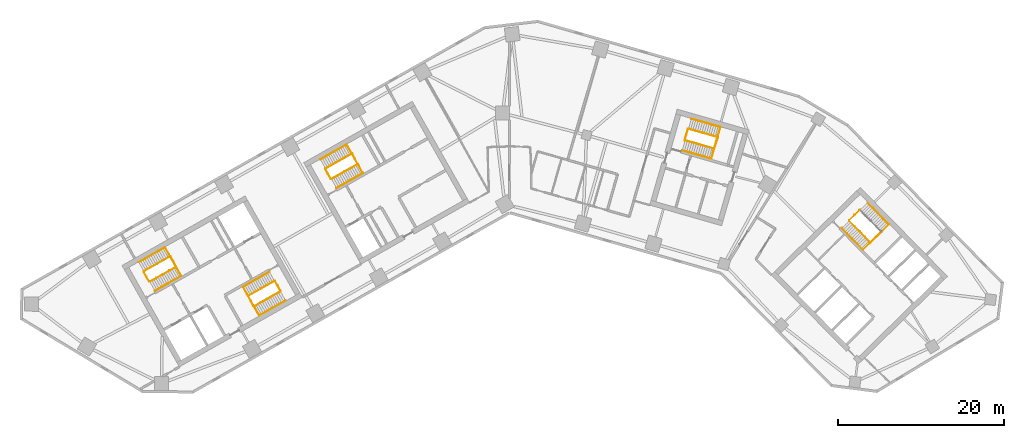
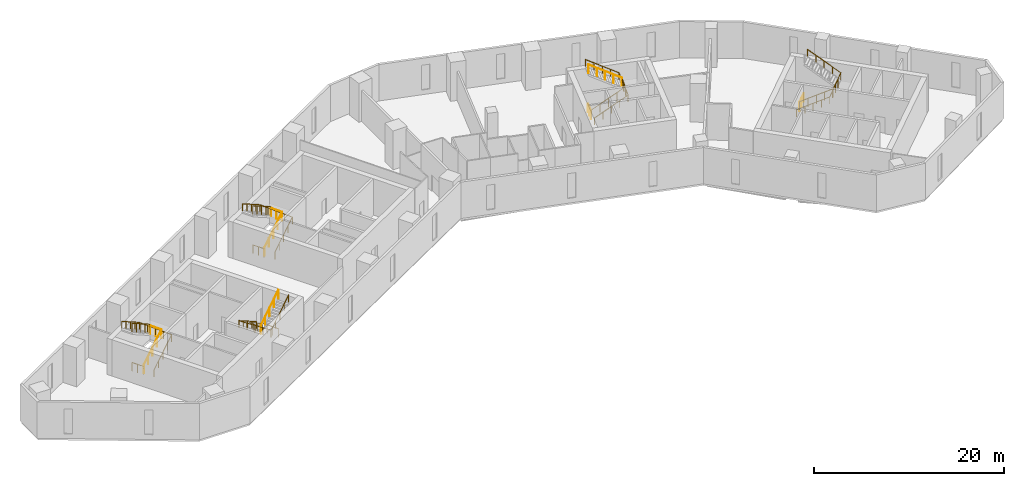
# One storey, part 9 of 10: 19 railings.
"""IFC4 building model written with IfcOpenShell, lengths in metres."""

from ifc_helpers import new_model, si_unit, direction, frame, origin, origin_2d, place, context, subcontext, project, spatial, circle, extrude, material, type_object, element, save


model = new_model("IFC4")

# Units and contexts
model_context = context("Model", 3, precision=1e-05, world=origin(), true_north=direction((0.0, 1.0)))
body_context = subcontext(model_context, "Body", "Model", "MODEL_VIEW")
ifc_project = project(units=[si_unit("LENGTHUNIT", "METRE"), si_unit("AREAUNIT", "SQUARE_METRE"), si_unit("VOLUMEUNIT", "CUBIC_METRE"), si_unit("PLANEANGLEUNIT", "RADIAN"), si_unit("MASSUNIT", "GRAM", prefix="KILO")], contexts=[model_context])

# Site, building, storey
site_placement = place(None, origin())
site = spatial("IfcSite", under=ifc_project, at=site_placement, CompositionType="ELEMENT")
building_placement = place(site_placement, origin())
building = spatial("IfcBuilding", under=site, at=building_placement, Name="Binnacle Exchange Tower", CompositionType="ELEMENT")
storey_placement = place(building_placement, frame((0.0, 0.0, 41.5)))
storey = spatial("IfcBuildingStorey", under=building, at=storey_placement, Name="L08", CompositionType="ELEMENT", Elevation=41.5)

# Railings
ifc_material_1 = material(Name="Steel guard rail", Category="steel")
railing_type_1 = type_object("IfcRailingType", Name="STAIR GUARD 1100", PredefinedType="GUARDRAIL", material=ifc_material_1)
railing_1_placement = place(storey_placement, frame((-43.26171875, 39.71728515625, 0.178466796875)))
element("IfcRailing", 1, at=railing_1_placement, inside=storey, type_object=railing_type_1, Name="L08 STA1 stair guard 1", PredefinedType="GUARDRAIL", context=body_context, shape_type="SweptSolid", body=[
    extrude(circle(Radius=0.02392578125, at=origin_2d()), frame((0.0, 0.0, 1.076171875), z_axis=(0.733795554141, 0.415191658331, 0.537735968274), x_axis=(-0.492450612189, 0.870340390052, 0.0)), (0.0, 0.0, 1.0), 4.317138671875),
    extrude(circle(Radius=0.02392578125, at=origin_2d()), frame((3.16796875, 1.79248046875, 3.3974609375), z_axis=(-0.460963092712, 0.887419307406, 0.0), x_axis=(-0.887419307406, -0.460963092712, 0.0)), (0.0, 0.0, 1.0), 1.40087890625),
    extrude(circle(Radius=0.02099609375, at=origin_2d()), origin(), (0.0, 0.0, 1.0), 1.052001953125),
    extrude(circle(Radius=0.02099609375, at=origin_2d()), frame((0.7919921875, 0.4482421875, 0.580322265625)), (0.0, 0.0, 1.0), 1.052001953125),
    extrude(circle(Radius=0.02099609375, at=origin_2d()), frame((1.583984375, 0.896240234375, 1.16064453125)), (0.0, 0.0, 1.0), 1.052001953125),
    extrude(circle(Radius=0.02099609375, at=origin_2d()), frame((2.3759765625, 1.34423828125, 1.7412109375)), (0.0, 0.0, 1.0), 1.052001953125),
    extrude(circle(Radius=0.02099609375, at=origin_2d()), frame((3.16796875, 1.79248046875, 2.321533203125)), (0.0, 0.0, 1.0), 1.052001953125),
    extrude(circle(Radius=0.02099609375, at=origin_2d()), frame((2.84521484375, 2.4140625, 2.321533203125)), (0.0, 0.0, 1.0), 1.052001953125),
    extrude(circle(Radius=0.02099609375, at=origin_2d()), frame((2.522216796875, 3.03564453125, 2.321533203125)), (0.0, 0.0, 1.0), 1.052001953125),
])
railing_2_placement = place(storey_placement, frame((-40.8076171875, 42.771728515625, 2.678466796875)))
element("IfcRailing", 2, at=railing_2_placement, inside=storey, type_object=railing_type_1, Name="L08 STA1 stair guard 2", PredefinedType="GUARDRAIL", context=body_context, shape_type="SweptSolid", body=[
    extrude(circle(Radius=0.02392578125, at=origin_2d()), frame((0.0, 0.0, 1.076171875), z_axis=(-0.733821652932, -0.415174429824, 0.537713654753), x_axis=(0.492421866095, -0.870356654361, 0.0)), (0.0, 0.0, 1.0), 4.3173828125),
    extrude(circle(Radius=0.02099609375, at=origin_2d()), origin(), (0.0, 0.0, 1.0), 1.052001953125),
    extrude(circle(Radius=0.02099609375, at=origin_2d()), frame((-0.7919921875, -0.4482421875, 0.580322265625)), (0.0, 0.0, 1.0), 1.052001953125),
    extrude(circle(Radius=0.02099609375, at=origin_2d()), frame((-1.583984375, -0.896240234375, 1.16064453125)), (0.0, 0.0, 1.0), 1.052001953125),
    extrude(circle(Radius=0.02099609375, at=origin_2d()), frame((-2.376220703125, -1.34423828125, 1.7412109375)), (0.0, 0.0, 1.0), 1.052001953125),
    extrude(circle(Radius=0.02099609375, at=origin_2d()), frame((-3.168212890625, -1.79248046875, 2.321533203125)), (0.0, 0.0, 1.0), 1.052001953125),
])
railing_3_placement = place(storey_placement, frame((-43.329833984375, 39.736328125, 0.0)))
element("IfcRailing", 3, at=railing_3_placement, inside=storey, type_object=railing_type_1, Name="L08 STA1 stair guard 3", PredefinedType="GUARDRAIL", context=body_context, shape_type="SweptSolid", body=[
    extrude(circle(Radius=0.02392578125, at=origin_2d()), frame((0.0, 0.0, 1.076171875), z_axis=(-0.4924922531, 0.870316827734, 0.0), x_axis=(-0.870316827734, -0.4924922531, 0.0)), (0.0, 0.0, 1.0), 1.349853515625),
    extrude(circle(Radius=0.02099609375, at=origin_2d()), origin(), (0.0, 0.0, 1.0), 1.052001953125),
    extrude(circle(Radius=0.02099609375, at=origin_2d()), frame((-0.33251953125, 0.58740234375, 0.0)), (0.0, 0.0, 1.0), 1.052001953125),
    extrude(circle(Radius=0.02099609375, at=origin_2d()), frame((-0.664794921875, 1.1748046875, 0.0)), (0.0, 0.0, 1.0), 1.052001953125),
])
railing_4_placement = place(storey_placement, frame((-28.265380859375, 39.814453125, 0.178466796875)))
element("IfcRailing", 4, at=railing_4_placement, inside=storey, type_object=railing_type_1, Name="L08 STA2 stair guard 1", PredefinedType="GUARDRAIL", context=body_context, shape_type="SweptSolid", body=[
    extrude(circle(Radius=0.02392578125, at=origin_2d()), frame((0.0, 0.0, 1.076171875), z_axis=(-0.733821652932, -0.415174429824, 0.537713654753), x_axis=(0.492421866095, -0.870356654361, 0.0)), (0.0, 0.0, 1.0), 4.3173828125),
    extrude(circle(Radius=0.02392578125, at=origin_2d()), frame((-3.168212890625, -1.79248046875, 3.3974609375), z_axis=(0.461100321709, -0.887348011391, 0.0), x_axis=(0.887348011391, 0.461100321709, 0.0)), (0.0, 0.0, 1.0), 1.40087890625),
    extrude(circle(Radius=0.02099609375, at=origin_2d()), origin(), (0.0, 0.0, 1.0), 1.052001953125),
    extrude(circle(Radius=0.02099609375, at=origin_2d()), frame((-0.7919921875, -0.4482421875, 0.580322265625)), (0.0, 0.0, 1.0), 1.052001953125),
    extrude(circle(Radius=0.02099609375, at=origin_2d()), frame((-1.583984375, -0.896240234375, 1.16064453125)), (0.0, 0.0, 1.0), 1.052001953125),
    extrude(circle(Radius=0.02099609375, at=origin_2d()), frame((-2.376220703125, -1.34423828125, 1.7412109375)), (0.0, 0.0, 1.0), 1.052001953125),
    extrude(circle(Radius=0.02099609375, at=origin_2d()), frame((-3.168212890625, -1.79248046875, 2.321533203125)), (0.0, 0.0, 1.0), 1.052001953125),
    extrude(circle(Radius=0.02099609375, at=origin_2d()), frame((-2.84521484375, -2.4140625, 2.321533203125)), (0.0, 0.0, 1.0), 1.052001953125),
    extrude(circle(Radius=0.02099609375, at=origin_2d()), frame((-2.522216796875, -3.03564453125, 2.321533203125)), (0.0, 0.0, 1.0), 1.052001953125),
])
railing_5_placement = place(storey_placement, frame((-30.719482421875, 36.760009765625, 2.678466796875)))
element("IfcRailing", 5, at=railing_5_placement, inside=storey, type_object=railing_type_1, Name="L08 STA2 stair guard 2", PredefinedType="GUARDRAIL", context=body_context, shape_type="SweptSolid", body=[
    extrude(circle(Radius=0.02392578125, at=origin_2d()), frame((0.0, 0.0, 1.076171875), z_axis=(0.733795554141, 0.415191658331, 0.537735968274), x_axis=(-0.492450612189, 0.870340390052, 0.0)), (0.0, 0.0, 1.0), 4.317138671875),
    extrude(circle(Radius=0.02099609375, at=origin_2d()), origin(), (0.0, 0.0, 1.0), 1.052001953125),
    extrude(circle(Radius=0.02099609375, at=origin_2d()), frame((0.7919921875, 0.4482421875, 0.580322265625)), (0.0, 0.0, 1.0), 1.052001953125),
    extrude(circle(Radius=0.02099609375, at=origin_2d()), frame((1.583984375, 0.896240234375, 1.16064453125)), (0.0, 0.0, 1.0), 1.052001953125),
    extrude(circle(Radius=0.02099609375, at=origin_2d()), frame((2.3759765625, 1.34423828125, 1.7412109375)), (0.0, 0.0, 1.0), 1.052001953125),
    extrude(circle(Radius=0.02099609375, at=origin_2d()), frame((3.16796875, 1.79248046875, 2.321533203125)), (0.0, 0.0, 1.0), 1.052001953125),
])
railing_6_placement = place(storey_placement, frame((-28.197265625, 39.795654296875, 0.0)))
element("IfcRailing", 6, at=railing_6_placement, inside=storey, type_object=railing_type_1, Name="L08 STA2 stair guard 3", PredefinedType="GUARDRAIL", context=body_context, shape_type="SweptSolid", body=[
    extrude(circle(Radius=0.02392578125, at=origin_2d()), frame((0.0, 0.0, 1.076171875), z_axis=(0.49241474071, -0.870360685654, 0.0), x_axis=(0.870360685654, 0.49241474071, 0.0)), (0.0, 0.0, 1.0), 1.35009765625),
    extrude(circle(Radius=0.02099609375, at=origin_2d()), origin(), (0.0, 0.0, 1.0), 1.052001953125),
    extrude(circle(Radius=0.02099609375, at=origin_2d()), frame((0.33251953125, -0.58740234375, 0.0)), (0.0, 0.0, 1.0), 1.052001953125),
    extrude(circle(Radius=0.02099609375, at=origin_2d()), frame((0.664794921875, -1.175048828125, 0.0)), (0.0, 0.0, 1.0), 1.052001953125),
])
railing_7_placement = place(storey_placement, frame((40.822509765625, 47.046875, 0.178466796875)))
element("IfcRailing", 7, at=railing_7_placement, inside=storey, type_object=railing_type_1, Name="L08 STB1 stair guard 1", PredefinedType="GUARDRAIL", context=body_context, shape_type="SweptSolid", body=[
    extrude(circle(Radius=0.02392578125, at=origin_2d()), frame((0.0, 0.0, 1.076171875), z_axis=(0.590946962671, -0.60135215321, 0.537733461056), x_axis=(0.713250539553, 0.700909172309, 0.0)), (0.0, 0.0, 1.0), 4.317138671875),
    extrude(circle(Radius=0.02392578125, at=origin_2d()), frame((2.55126953125, -2.59619140625, 3.3974609375), z_axis=(0.732527851538, 0.680737061369, 0.0), x_axis=(-0.680737061369, 0.732527851538, 0.0)), (0.0, 0.0, 1.0), 1.80078125),
    extrude(circle(Radius=0.02099609375, at=origin_2d()), origin(), (0.0, 0.0, 1.0), 1.052001953125),
    extrude(circle(Radius=0.02099609375, at=origin_2d()), frame((0.6376953125, -0.64892578125, 0.580322265625)), (0.0, 0.0, 1.0), 1.052001953125),
    extrude(circle(Radius=0.02099609375, at=origin_2d()), frame((1.275634765625, -1.298095703125, 1.16064453125)), (0.0, 0.0, 1.0), 1.052001953125),
    extrude(circle(Radius=0.02099609375, at=origin_2d()), frame((1.91357421875, -1.947265625, 1.7412109375)), (0.0, 0.0, 1.0), 1.052001953125),
    extrude(circle(Radius=0.02099609375, at=origin_2d()), frame((2.55126953125, -2.59619140625, 2.321533203125)), (0.0, 0.0, 1.0), 1.052001953125),
    extrude(circle(Radius=0.02099609375, at=origin_2d()), frame((3.2109375, -1.9833984375, 2.321533203125)), (0.0, 0.0, 1.0), 1.052001953125),
    extrude(circle(Radius=0.02099609375, at=origin_2d()), frame((3.870361328125, -1.370361328125, 2.321533203125)), (0.0, 0.0, 1.0), 1.052001953125),
])
railing_8_placement = place(storey_placement, frame((40.8232421875, 47.117431640625, 0.0)))
element("IfcRailing", 8, at=railing_8_placement, inside=storey, type_object=railing_type_1, Name="L08 STB1 stair guard 3", PredefinedType="GUARDRAIL", context=body_context, shape_type="SweptSolid", body=[
    extrude(circle(Radius=0.02392578125, at=origin_2d()), frame((0.0, 0.0, 1.076171875), z_axis=(0.713218950569, 0.700941316052, 0.0), x_axis=(-0.700941316052, 0.713218950569, 0.0)), (0.0, 0.0, 1.0), 1.75),
    extrude(circle(Radius=0.02099609375, at=origin_2d()), origin(), (0.0, 0.0, 1.0), 1.052001953125),
    extrude(circle(Radius=0.02099609375, at=origin_2d()), frame((0.6240234375, 0.61328125, 0.0)), (0.0, 0.0, 1.0), 1.052001953125),
    extrude(circle(Radius=0.02099609375, at=origin_2d()), frame((1.248046875, 1.2265625, 0.0)), (0.0, 0.0, 1.0), 1.052001953125),
])
railing_9_placement = place(storey_placement, frame((-21.423828125, 52.07275390625, 0.178466796875)))
element("IfcRailing", 9, at=railing_9_placement, inside=storey, type_object=railing_type_1, Name="L08 STC1 stair guard 1", PredefinedType="GUARDRAIL", context=body_context, shape_type="SweptSolid", body=[
    extrude(circle(Radius=0.02392578125, at=origin_2d()), frame((0.0, 0.0, 1.076171875), z_axis=(0.733838880464, 0.415127627455, 0.537726278364), x_axis=(-0.492371057291, 0.870385398511, 0.0)), (0.0, 0.0, 1.0), 4.3173828125),
    extrude(circle(Radius=0.02392578125, at=origin_2d()), frame((3.168212890625, 1.792236328125, 3.3974609375), z_axis=(-0.461100321709, 0.887348011391, 0.0), x_axis=(-0.887348011391, -0.461100321709, 0.0)), (0.0, 0.0, 1.0), 1.40087890625),
    extrude(circle(Radius=0.02099609375, at=origin_2d()), origin(), (0.0, 0.0, 1.0), 1.052001953125),
    extrude(circle(Radius=0.02099609375, at=origin_2d()), frame((0.7919921875, 0.447998046875, 0.580322265625)), (0.0, 0.0, 1.0), 1.052001953125),
    extrude(circle(Radius=0.02099609375, at=origin_2d()), frame((1.583984375, 0.89599609375, 1.16064453125)), (0.0, 0.0, 1.0), 1.052001953125),
    extrude(circle(Radius=0.02099609375, at=origin_2d()), frame((2.376220703125, 1.34423828125, 1.7412109375)), (0.0, 0.0, 1.0), 1.052001953125),
    extrude(circle(Radius=0.02099609375, at=origin_2d()), frame((3.168212890625, 1.792236328125, 2.321533203125)), (0.0, 0.0, 1.0), 1.052001953125),
    extrude(circle(Radius=0.02099609375, at=origin_2d()), frame((2.84521484375, 2.413818359375, 2.321533203125)), (0.0, 0.0, 1.0), 1.052001953125),
    extrude(circle(Radius=0.02099609375, at=origin_2d()), frame((2.522216796875, 3.035400390625, 2.321533203125)), (0.0, 0.0, 1.0), 1.052001953125),
])
railing_10_placement = place(storey_placement, frame((-18.9697265625, 55.126953125, 2.678466796875)))
element("IfcRailing", 10, at=railing_10_placement, inside=storey, type_object=railing_type_1, Name="L08 STC1 stair guard 2", PredefinedType="GUARDRAIL", context=body_context, shape_type="SweptSolid", body=[
    extrude(circle(Radius=0.02392578125, at=origin_2d()), frame((0.0, 0.0, 1.076171875), z_axis=(-0.733812782489, -0.415144854829, 0.537748593457), x_axis=(0.492399802317, -0.870369137021, 0.0)), (0.0, 0.0, 1.0), 4.317138671875),
    extrude(circle(Radius=0.02099609375, at=origin_2d()), origin(), (0.0, 0.0, 1.0), 1.052001953125),
    extrude(circle(Radius=0.02099609375, at=origin_2d()), frame((-0.7919921875, -0.447998046875, 0.580322265625)), (0.0, 0.0, 1.0), 1.052001953125),
    extrude(circle(Radius=0.02099609375, at=origin_2d()), frame((-1.583984375, -0.89599609375, 1.16064453125)), (0.0, 0.0, 1.0), 1.052001953125),
    extrude(circle(Radius=0.02099609375, at=origin_2d()), frame((-2.3759765625, -1.34423828125, 1.7412109375)), (0.0, 0.0, 1.0), 1.052001953125),
    extrude(circle(Radius=0.02099609375, at=origin_2d()), frame((-3.16796875, -1.792236328125, 2.321533203125)), (0.0, 0.0, 1.0), 1.052001953125),
])
railing_11_placement = place(storey_placement, frame((-21.491943359375, 52.091552734375, 0.0)))
element("IfcRailing", 11, at=railing_11_placement, inside=storey, type_object=railing_type_1, Name="L08 STC1 stair guard 3", PredefinedType="GUARDRAIL", context=body_context, shape_type="SweptSolid", body=[
    extrude(circle(Radius=0.02392578125, at=origin_2d()), frame((0.0, 0.0, 1.076171875), z_axis=(-0.49241474071, 0.870360685654, 0.0), x_axis=(-0.870360685654, -0.49241474071, 0.0)), (0.0, 0.0, 1.0), 1.35009765625),
    extrude(circle(Radius=0.02099609375, at=origin_2d()), origin(), (0.0, 0.0, 1.0), 1.052001953125),
    extrude(circle(Radius=0.02099609375, at=origin_2d()), frame((-0.33251953125, 0.58740234375, 0.0)), (0.0, 0.0, 1.0), 1.052001953125),
    extrude(circle(Radius=0.02099609375, at=origin_2d()), frame((-0.664794921875, 1.175048828125, 0.0)), (0.0, 0.0, 1.0), 1.052001953125),
])
railing_12_placement = place(storey_placement, frame((21.086669921875, 56.71044921875, 0.178466796875)))
element("IfcRailing", 12, at=railing_12_placement, inside=storey, type_object=railing_type_1, Name="L08 STD1 stair guard 1", PredefinedType="GUARDRAIL", context=body_context, shape_type="SweptSolid", body=[
    extrude(circle(Radius=0.02392578125, at=origin_2d()), frame((0.0, 0.0, 1.076171875), z_axis=(0.810455892038, -0.232415135102, 0.537721537635), x_axis=(0.275659984683, 0.961255206927, 0.0)), (0.0, 0.0, 1.0), 4.3173828125),
    extrude(circle(Radius=0.02392578125, at=origin_2d()), frame((3.4990234375, -1.00341796875, 3.3974609375), z_axis=(0.309684985722, 0.950839213337, 0.0), x_axis=(-0.950839213337, 0.309684985722, 0.0)), (0.0, 0.0, 1.0), 1.40087890625),
    extrude(circle(Radius=0.02099609375, at=origin_2d()), origin(), (0.0, 0.0, 1.0), 1.052001953125),
    extrude(circle(Radius=0.02099609375, at=origin_2d()), frame((0.874755859375, -0.2509765625, 0.580322265625)), (0.0, 0.0, 1.0), 1.052001953125),
    extrude(circle(Radius=0.02099609375, at=origin_2d()), frame((1.74951171875, -0.501708984375, 1.16064453125)), (0.0, 0.0, 1.0), 1.052001953125),
    extrude(circle(Radius=0.02099609375, at=origin_2d()), frame((2.624267578125, -0.75244140625, 1.7412109375)), (0.0, 0.0, 1.0), 1.052001953125),
    extrude(circle(Radius=0.02099609375, at=origin_2d()), frame((3.4990234375, -1.00341796875, 2.321533203125)), (0.0, 0.0, 1.0), 1.052001953125),
    extrude(circle(Radius=0.02099609375, at=origin_2d()), frame((3.7158203125, -0.33740234375, 2.321533203125)), (0.0, 0.0, 1.0), 1.052001953125),
    extrude(circle(Radius=0.02099609375, at=origin_2d()), frame((3.932861328125, 0.32861328125, 2.321533203125)), (0.0, 0.0, 1.0), 1.052001953125),
])
railing_13_placement = place(storey_placement, frame((24.9853515625, 57.100830078125, 2.678466796875)))
element("IfcRailing", 13, at=railing_13_placement, inside=storey, type_object=railing_type_1, Name="L08 STD1 stair guard 2", PredefinedType="GUARDRAIL", context=body_context, shape_type="SweptSolid", body=[
    extrude(circle(Radius=0.02392578125, at=origin_2d()), frame((0.0, 0.0, 1.076171875), z_axis=(-0.810455892038, 0.232415135102, 0.537721537635), x_axis=(-0.275659984683, -0.961255206927, 0.0)), (0.0, 0.0, 1.0), 4.3173828125),
    extrude(circle(Radius=0.02099609375, at=origin_2d()), origin(), (0.0, 0.0, 1.0), 1.052001953125),
    extrude(circle(Radius=0.02099609375, at=origin_2d()), frame((-0.874755859375, 0.2509765625, 0.580322265625)), (0.0, 0.0, 1.0), 1.052001953125),
    extrude(circle(Radius=0.02099609375, at=origin_2d()), frame((-1.74951171875, 0.501708984375, 1.16064453125)), (0.0, 0.0, 1.0), 1.052001953125),
    extrude(circle(Radius=0.02099609375, at=origin_2d()), frame((-2.624267578125, 0.75244140625, 1.7412109375)), (0.0, 0.0, 1.0), 1.052001953125),
    extrude(circle(Radius=0.02099609375, at=origin_2d()), frame((-3.4990234375, 1.00341796875, 2.321533203125)), (0.0, 0.0, 1.0), 1.052001953125),
])
railing_14_placement = place(storey_placement, frame((21.05224609375, 56.772216796875, 0.0)))
element("IfcRailing", 14, at=railing_14_placement, inside=storey, type_object=railing_type_1, Name="L08 STD1 stair guard 3", PredefinedType="GUARDRAIL", context=body_context, shape_type="SweptSolid", body=[
    extrude(circle(Radius=0.02392578125, at=origin_2d()), frame((0.0, 0.0, 1.076171875), z_axis=(0.275795817769, 0.961216243569, 0.0), x_axis=(-0.961216243569, 0.275795817769, 0.0)), (0.0, 0.0, 1.0), 1.349853515625),
    extrude(circle(Radius=0.02099609375, at=origin_2d()), origin(), (0.0, 0.0, 1.0), 1.052001953125),
    extrude(circle(Radius=0.02099609375, at=origin_2d()), frame((0.18603515625, 0.64892578125, 0.0)), (0.0, 0.0, 1.0), 1.052001953125),
    extrude(circle(Radius=0.02099609375, at=origin_2d()), frame((0.372314453125, 1.297607421875, 0.0)), (0.0, 0.0, 1.0), 1.052001953125),
])
ifc_material_2 = material(Name="Steel handrail", Category="steel")
railing_type_2 = type_object("IfcRailingType", Name="STAIR HANDRAIL 900", PredefinedType="HANDRAIL", material=ifc_material_2)
railing_15_placement = place(storey_placement, frame((-42.646240234375, 38.62939453125, 0.178466796875)))
element("IfcRailing", 15, at=railing_15_placement, inside=storey, type_object=railing_type_2, Name="L08 STA1 stair handrail 1", PredefinedType="HANDRAIL", context=body_context, shape_type="SweptSolid", body=[
    extrude(circle(Radius=0.02392578125, at=origin_2d()), frame((0.0, 0.0, 0.8759765625), z_axis=(0.733821652932, 0.415174429824, 0.537713654753), x_axis=(-0.492421866095, 0.870356654361, 0.0)), (0.0, 0.0, 1.0), 4.3173828125),
    extrude(circle(Radius=0.02392578125, at=origin_2d()), frame((3.168212890625, 1.79248046875, 3.197265625), z_axis=(-0.491985021148, 0.869432866815, 0.045135674003), x_axis=(-0.870319839224, -0.492486931251, 0.0)), (0.0, 0.0, 1.0), 3.9541015625),
    extrude(circle(Radius=0.02392578125, at=origin_2d()), frame((1.222900390625, 5.230224609375, 3.3759765625), z_axis=(-0.733812782489, -0.415144854829, 0.537748593457), x_axis=(0.492399802317, -0.870369137021, 0.0)), (0.0, 0.0, 1.0), 4.317138671875),
    extrude(circle(Radius=0.02099609375, at=origin_2d()), origin(), (0.0, 0.0, 1.0), 0.851806640625),
    extrude(circle(Radius=0.02099609375, at=origin_2d()), frame((0.7919921875, 0.4482421875, 0.580322265625)), (0.0, 0.0, 1.0), 0.851806640625),
    extrude(circle(Radius=0.02099609375, at=origin_2d()), frame((1.583984375, 0.896240234375, 1.16064453125)), (0.0, 0.0, 1.0), 0.851806640625),
    extrude(circle(Radius=0.02099609375, at=origin_2d()), frame((2.376220703125, 1.34423828125, 1.7412109375)), (0.0, 0.0, 1.0), 0.851806640625),
    extrude(circle(Radius=0.02099609375, at=origin_2d()), frame((3.168212890625, 1.79248046875, 2.321533203125)), (0.0, 0.0, 1.0), 0.851806640625),
    extrude(circle(Radius=0.02099609375, at=origin_2d()), frame((2.681884765625, 2.65185546875, 2.3662109375)), (0.0, 0.0, 1.0), 0.851806640625),
    extrude(circle(Radius=0.02099609375, at=origin_2d()), frame((2.195556640625, 3.51123046875, 2.41064453125)), (0.0, 0.0, 1.0), 0.851806640625),
    extrude(circle(Radius=0.02099609375, at=origin_2d()), frame((1.709228515625, 4.370849609375, 2.455322265625)), (0.0, 0.0, 1.0), 0.851806640625),
    extrude(circle(Radius=0.02099609375, at=origin_2d()), frame((1.222900390625, 5.230224609375, 2.5)), (0.0, 0.0, 1.0), 0.851806640625),
    extrude(circle(Radius=0.02099609375, at=origin_2d()), frame((0.430908203125, 4.7822265625, 3.080322265625)), (0.0, 0.0, 1.0), 0.851806640625),
    extrude(circle(Radius=0.02099609375, at=origin_2d()), frame((-0.361083984375, 4.333984375, 3.66064453125)), (0.0, 0.0, 1.0), 0.851806640625),
    extrude(circle(Radius=0.02099609375, at=origin_2d()), frame((-1.153076171875, 3.885986328125, 4.2412109375)), (0.0, 0.0, 1.0), 0.851806640625),
    extrude(circle(Radius=0.02099609375, at=origin_2d()), frame((-1.945068359375, 3.43798828125, 4.821533203125)), (0.0, 0.0, 1.0), 0.851806640625),
])
railing_16_placement = place(storey_placement, frame((-28.880859375, 40.90234375, 0.178466796875)))
element("IfcRailing", 16, at=railing_16_placement, inside=storey, type_object=railing_type_2, Name="L08 STA2 stair handrail 1", PredefinedType="HANDRAIL", context=body_context, shape_type="SweptSolid", body=[
    extrude(circle(Radius=0.02392578125, at=origin_2d()), frame((0.0, 0.0, 0.8759765625), z_axis=(-0.733838880464, -0.415127627455, 0.537726278364), x_axis=(0.492371057291, -0.870385398511, 0.0)), (0.0, 0.0, 1.0), 4.3173828125),
    extrude(circle(Radius=0.02392578125, at=origin_2d()), frame((-3.168212890625, -1.792236328125, 3.197265625), z_axis=(0.491911810019, -0.86947434526, 0.045134621956), x_axis=(0.870361318571, 0.492413622004, 0.0)), (0.0, 0.0, 1.0), 3.9541015625),
    extrude(circle(Radius=0.02392578125, at=origin_2d()), frame((-1.22314453125, -5.230224609375, 3.3759765625), z_axis=(0.733821652932, 0.415174429824, 0.537713654753), x_axis=(-0.492421866095, 0.870356654361, 0.0)), (0.0, 0.0, 1.0), 4.3173828125),
    extrude(circle(Radius=0.02099609375, at=origin_2d()), origin(), (0.0, 0.0, 1.0), 0.851806640625),
    extrude(circle(Radius=0.02099609375, at=origin_2d()), frame((-0.7919921875, -0.447998046875, 0.580322265625)), (0.0, 0.0, 1.0), 0.851806640625),
    extrude(circle(Radius=0.02099609375, at=origin_2d()), frame((-1.583984375, -0.89599609375, 1.16064453125)), (0.0, 0.0, 1.0), 0.851806640625),
    extrude(circle(Radius=0.02099609375, at=origin_2d()), frame((-2.376220703125, -1.34423828125, 1.7412109375)), (0.0, 0.0, 1.0), 0.851806640625),
    extrude(circle(Radius=0.02099609375, at=origin_2d()), frame((-3.168212890625, -1.792236328125, 2.321533203125)), (0.0, 0.0, 1.0), 0.851806640625),
    extrude(circle(Radius=0.02099609375, at=origin_2d()), frame((-2.681884765625, -2.65185546875, 2.3662109375)), (0.0, 0.0, 1.0), 0.851806640625),
    extrude(circle(Radius=0.02099609375, at=origin_2d()), frame((-2.19580078125, -3.51123046875, 2.41064453125)), (0.0, 0.0, 1.0), 0.851806640625),
    extrude(circle(Radius=0.02099609375, at=origin_2d()), frame((-1.70947265625, -4.37060546875, 2.455322265625)), (0.0, 0.0, 1.0), 0.851806640625),
    extrude(circle(Radius=0.02099609375, at=origin_2d()), frame((-1.22314453125, -5.230224609375, 2.5)), (0.0, 0.0, 1.0), 0.851806640625),
    extrude(circle(Radius=0.02099609375, at=origin_2d()), frame((-0.43115234375, -4.7822265625, 3.080322265625)), (0.0, 0.0, 1.0), 0.851806640625),
    extrude(circle(Radius=0.02099609375, at=origin_2d()), frame((0.36083984375, -4.333984375, 3.66064453125)), (0.0, 0.0, 1.0), 0.851806640625),
    extrude(circle(Radius=0.02099609375, at=origin_2d()), frame((1.153076171875, -3.8857421875, 4.2412109375)), (0.0, 0.0, 1.0), 0.851806640625),
    extrude(circle(Radius=0.02099609375, at=origin_2d()), frame((1.945068359375, -3.437744140625, 4.821533203125)), (0.0, 0.0, 1.0), 0.851806640625),
])
railing_17_placement = place(storey_placement, frame((39.930908203125, 46.170654296875, 0.178466796875)))
element("IfcRailing", 17, at=railing_17_placement, inside=storey, type_object=railing_type_2, Name="L08 STB1 stair handrail 1", PredefinedType="HANDRAIL", context=body_context, shape_type="SweptSolid", body=[
    extrude(circle(Radius=0.02392578125, at=origin_2d()), frame((0.0, 0.0, 0.8759765625), z_axis=(0.590983762497, -0.601332057257, 0.53771549111), x_axis=(0.713217009097, 0.700943291525, 0.0)), (0.0, 0.0, 1.0), 4.3173828125),
    extrude(circle(Radius=0.02392578125, at=origin_2d()), frame((2.551513671875, -2.59619140625, 3.197265625), z_axis=(0.712654164256, 0.700316745611, 0.040993877406), x_axis=(-0.700905928746, 0.713253726978, 0.0)), (0.0, 0.0, 1.0), 4.353515625),
    extrude(circle(Radius=0.02392578125, at=origin_2d()), frame((5.654052734375, 0.45263671875, 3.3759765625), z_axis=(-0.590926866753, 0.601388251475, 0.537715174732), x_axis=(-0.713283488215, -0.700875641922, 0.0)), (0.0, 0.0, 1.0), 4.3173828125),
    extrude(circle(Radius=0.02099609375, at=origin_2d()), origin(), (0.0, 0.0, 1.0), 0.851806640625),
    extrude(circle(Radius=0.02099609375, at=origin_2d()), frame((0.637939453125, -0.64892578125, 0.580322265625)), (0.0, 0.0, 1.0), 0.851806640625),
    extrude(circle(Radius=0.02099609375, at=origin_2d()), frame((1.27587890625, -1.298095703125, 1.16064453125)), (0.0, 0.0, 1.0), 0.851806640625),
    extrude(circle(Radius=0.02099609375, at=origin_2d()), frame((1.91357421875, -1.947265625, 1.7412109375)), (0.0, 0.0, 1.0), 0.851806640625),
    extrude(circle(Radius=0.02099609375, at=origin_2d()), frame((2.551513671875, -2.59619140625, 2.321533203125)), (0.0, 0.0, 1.0), 0.851806640625),
    extrude(circle(Radius=0.02099609375, at=origin_2d()), frame((3.3271484375, -1.833984375, 2.3662109375)), (0.0, 0.0, 1.0), 0.851806640625),
    extrude(circle(Radius=0.02099609375, at=origin_2d()), frame((4.102783203125, -1.07177734375, 2.41064453125)), (0.0, 0.0, 1.0), 0.851806640625),
    extrude(circle(Radius=0.02099609375, at=origin_2d()), frame((4.87841796875, -0.3095703125, 2.455322265625)), (0.0, 0.0, 1.0), 0.851806640625),
    extrude(circle(Radius=0.02099609375, at=origin_2d()), frame((5.654052734375, 0.45263671875, 2.5)), (0.0, 0.0, 1.0), 0.851806640625),
    extrude(circle(Radius=0.02099609375, at=origin_2d()), frame((5.01611328125, 1.101806640625, 3.080322265625)), (0.0, 0.0, 1.0), 0.851806640625),
    extrude(circle(Radius=0.02099609375, at=origin_2d()), frame((4.37841796875, 1.7509765625, 3.66064453125)), (0.0, 0.0, 1.0), 0.851806640625),
    extrude(circle(Radius=0.02099609375, at=origin_2d()), frame((3.74072265625, 2.39990234375, 4.2412109375)), (0.0, 0.0, 1.0), 0.851806640625),
    extrude(circle(Radius=0.02099609375, at=origin_2d()), frame((3.102783203125, 3.049072265625, 4.821533203125)), (0.0, 0.0, 1.0), 0.851806640625),
])
railing_18_placement = place(storey_placement, frame((-20.808349609375, 50.984619140625, 0.178466796875)))
element("IfcRailing", 18, at=railing_18_placement, inside=storey, type_object=railing_type_2, Name="L08 STC1 stair handrail 1", PredefinedType="HANDRAIL", context=body_context, shape_type="SweptSolid", body=[
    extrude(circle(Radius=0.02392578125, at=origin_2d()), frame((0.0, 0.0, 0.8759765625), z_axis=(0.733821652932, 0.415174429824, 0.537713654753), x_axis=(-0.492421866095, 0.870356654361, 0.0)), (0.0, 0.0, 1.0), 4.3173828125),
    extrude(circle(Radius=0.02392578125, at=origin_2d()), frame((3.168212890625, 1.79248046875, 3.197265625), z_axis=(-0.491911810019, 0.86947434526, 0.045134621956), x_axis=(-0.870361318571, -0.492413622004, 0.0)), (0.0, 0.0, 1.0), 3.9541015625),
    extrude(circle(Radius=0.02392578125, at=origin_2d()), frame((1.22314453125, 5.23046875, 3.3759765625), z_axis=(-0.733821652932, -0.415174429824, 0.537713654753), x_axis=(0.492421866095, -0.870356654361, 0.0)), (0.0, 0.0, 1.0), 4.3173828125),
    extrude(circle(Radius=0.02099609375, at=origin_2d()), origin(), (0.0, 0.0, 1.0), 0.851806640625),
    extrude(circle(Radius=0.02099609375, at=origin_2d()), frame((0.7919921875, 0.4482421875, 0.580322265625)), (0.0, 0.0, 1.0), 0.851806640625),
    extrude(circle(Radius=0.02099609375, at=origin_2d()), frame((1.583984375, 0.896240234375, 1.16064453125)), (0.0, 0.0, 1.0), 0.851806640625),
    extrude(circle(Radius=0.02099609375, at=origin_2d()), frame((2.376220703125, 1.34423828125, 1.7412109375)), (0.0, 0.0, 1.0), 0.851806640625),
    extrude(circle(Radius=0.02099609375, at=origin_2d()), frame((3.168212890625, 1.79248046875, 2.321533203125)), (0.0, 0.0, 1.0), 0.851806640625),
    extrude(circle(Radius=0.02099609375, at=origin_2d()), frame((2.681884765625, 2.65185546875, 2.3662109375)), (0.0, 0.0, 1.0), 0.851806640625),
    extrude(circle(Radius=0.02099609375, at=origin_2d()), frame((2.19580078125, 3.511474609375, 2.41064453125)), (0.0, 0.0, 1.0), 0.851806640625),
    extrude(circle(Radius=0.02099609375, at=origin_2d()), frame((1.70947265625, 4.37109375, 2.455322265625)), (0.0, 0.0, 1.0), 0.851806640625),
    extrude(circle(Radius=0.02099609375, at=origin_2d()), frame((1.22314453125, 5.23046875, 2.5)), (0.0, 0.0, 1.0), 0.851806640625),
    extrude(circle(Radius=0.02099609375, at=origin_2d()), frame((0.43115234375, 4.7822265625, 3.080322265625)), (0.0, 0.0, 1.0), 0.851806640625),
    extrude(circle(Radius=0.02099609375, at=origin_2d()), frame((-0.36083984375, 4.334228515625, 3.66064453125)), (0.0, 0.0, 1.0), 0.851806640625),
    extrude(circle(Radius=0.02099609375, at=origin_2d()), frame((-1.153076171875, 3.88623046875, 4.2412109375)), (0.0, 0.0, 1.0), 0.851806640625),
    extrude(circle(Radius=0.02099609375, at=origin_2d()), frame((-1.945068359375, 3.43798828125, 4.821533203125)), (0.0, 0.0, 1.0), 0.851806640625),
])
railing_19_placement = place(storey_placement, frame((20.7421875, 55.5087890625, 0.178466796875)))
element("IfcRailing", 19, at=railing_19_placement, inside=storey, type_object=railing_type_2, Name="L08 STD1 stair handrail 1", PredefinedType="HANDRAIL", context=body_context, shape_type="SweptSolid", body=[
    extrude(circle(Radius=0.02392578125, at=origin_2d()), frame((0.0, 0.0, 0.8759765625), z_axis=(0.810436485383, -0.2324257871, 0.537746182368), x_axis=(0.27567775811, 0.961250109848, 0.0)), (0.0, 0.0, 1.0), 4.317138671875),
    extrude(circle(Radius=0.02392578125, at=origin_2d()), frame((3.498779296875, -1.00341796875, 3.197265625), z_axis=(0.275370676617, 0.960278056821, 0.045133624351), x_axis=(-0.961257617982, 0.275651576943, 0.0)), (0.0, 0.0, 1.0), 3.9541015625),
    extrude(circle(Radius=0.02392578125, at=origin_2d()), frame((4.587646484375, 2.793701171875, 3.3759765625), z_axis=(-0.810466542589, 0.232361639932, 0.537728604067), x_axis=(-0.275598008994, -0.961272977587, 0.0)), (0.0, 0.0, 1.0), 4.3173828125),
    extrude(circle(Radius=0.02099609375, at=origin_2d()), origin(), (0.0, 0.0, 1.0), 0.851806640625),
    extrude(circle(Radius=0.02099609375, at=origin_2d()), frame((0.874755859375, -0.2509765625, 0.580322265625)), (0.0, 0.0, 1.0), 0.851806640625),
    extrude(circle(Radius=0.02099609375, at=origin_2d()), frame((1.74951171875, -0.501708984375, 1.16064453125)), (0.0, 0.0, 1.0), 0.851806640625),
    extrude(circle(Radius=0.02099609375, at=origin_2d()), frame((2.6240234375, -0.75244140625, 1.7412109375)), (0.0, 0.0, 1.0), 0.851806640625),
    extrude(circle(Radius=0.02099609375, at=origin_2d()), frame((3.498779296875, -1.00341796875, 2.321533203125)), (0.0, 0.0, 1.0), 0.851806640625),
    extrude(circle(Radius=0.02099609375, at=origin_2d()), frame((3.77099609375, -0.05419921875, 2.3662109375)), (0.0, 0.0, 1.0), 0.851806640625),
    extrude(circle(Radius=0.02099609375, at=origin_2d()), frame((4.043212890625, 0.89501953125, 2.41064453125)), (0.0, 0.0, 1.0), 0.851806640625),
    extrude(circle(Radius=0.02099609375, at=origin_2d()), frame((4.3154296875, 1.844482421875, 2.455322265625)), (0.0, 0.0, 1.0), 0.851806640625),
    extrude(circle(Radius=0.02099609375, at=origin_2d()), frame((4.587646484375, 2.793701171875, 2.5)), (0.0, 0.0, 1.0), 0.851806640625),
    extrude(circle(Radius=0.02099609375, at=origin_2d()), frame((3.712890625, 3.04443359375, 3.080322265625)), (0.0, 0.0, 1.0), 0.851806640625),
    extrude(circle(Radius=0.02099609375, at=origin_2d()), frame((2.838134765625, 3.29541015625, 3.66064453125)), (0.0, 0.0, 1.0), 0.851806640625),
    extrude(circle(Radius=0.02099609375, at=origin_2d()), frame((1.96337890625, 3.546142578125, 4.2412109375)), (0.0, 0.0, 1.0), 0.851806640625),
    extrude(circle(Radius=0.02099609375, at=origin_2d()), frame((1.088623046875, 3.796875, 4.821533203125)), (0.0, 0.0, 1.0), 0.851806640625),
])

save(model, "model.ifc")
